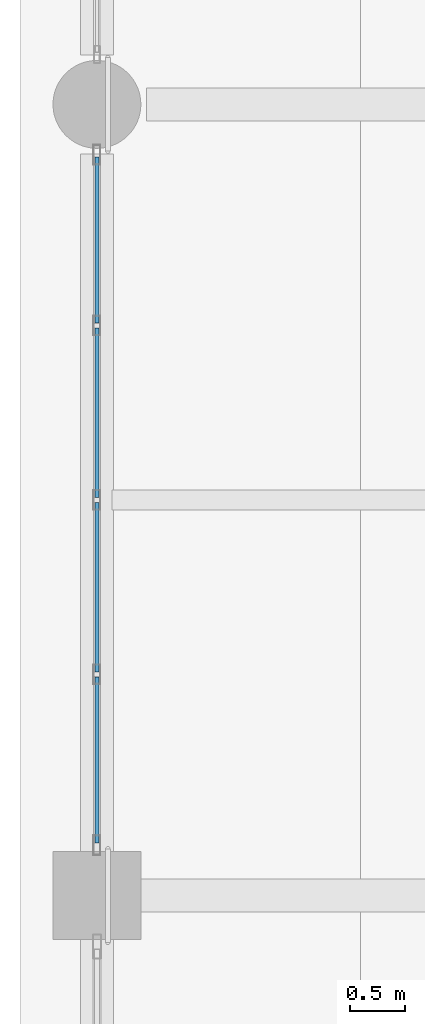
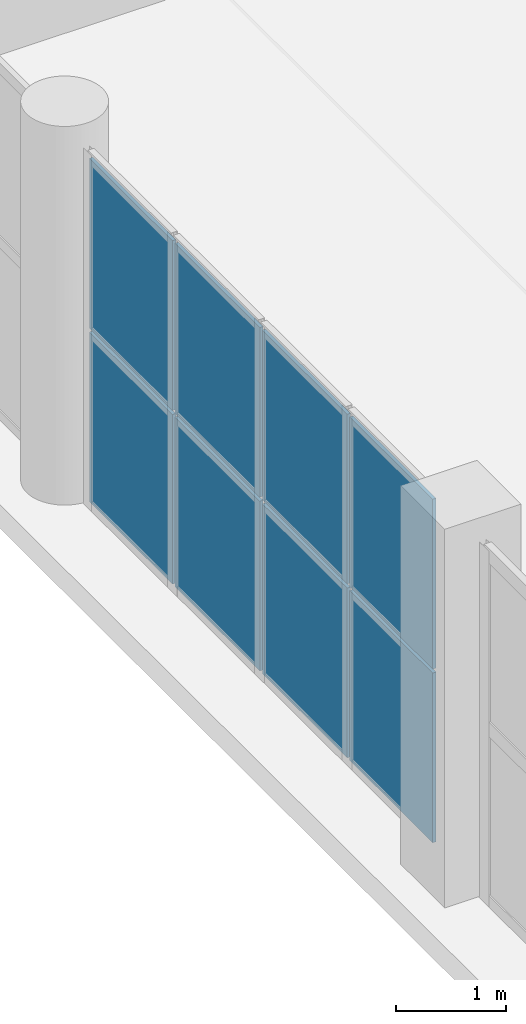
# One storey, part 121 of 153: 8 plates, 1 element without a shape of its own.
"""IFC4 building model written with IfcOpenShell, lengths in metres."""

from ifc_helpers import new_model, si_unit, direction, frame, origin, origin_2d, place, context, subcontext, project, spatial, rectangle, extrude, material, layer, layer_set, type_object, element, aggregate, save


model = new_model("IFC4")

# Units and contexts
model_context = context("Model", 3, precision=1e-05, world=origin(), true_north=direction((0.0, 1.0)))
body_context = subcontext(model_context, "Body", "Model", "MODEL_VIEW")
ifc_project = project(units=[si_unit("LENGTHUNIT", "METRE"), si_unit("AREAUNIT", "SQUARE_METRE"), si_unit("VOLUMEUNIT", "CUBIC_METRE"), si_unit("PLANEANGLEUNIT", "RADIAN"), si_unit("MASSUNIT", "GRAM", prefix="KILO")], contexts=[model_context])

# Site, building, storey
site_placement = place(None, origin())
site = spatial("IfcSite", under=ifc_project, at=site_placement, CompositionType="ELEMENT")
building_placement = place(site_placement, origin())
building = spatial("IfcBuilding", under=site, at=building_placement, Name="Qandorah Velis Arena", CompositionType="ELEMENT")
storey_placement = place(building_placement, frame((0.0, 0.0, 5.39990234375)))
storey = spatial("IfcBuildingStorey", under=building, at=storey_placement, Name="L01", CompositionType="ELEMENT", Elevation=5.39990234375)

# Curtain wall, plates
ifc_material = material(Name="Solar-control low-E double glazing", Category="glass")
curtain_wall_type = type_object("IfcCurtainWallType", Name="ARC-CW-SYS06", PredefinedType="USERDEFINED", material=ifc_material)
curtain_wall_placement = place(storey_placement, origin())
curtain_wall = element("IfcCurtainWall", 1, at=curtain_wall_placement, inside=storey, type_object=curtain_wall_type, Name="Unitised curtain wall L01-006", ObjectType="UNITISED CURTAIN WALL", PredefinedType="USERDEFINED")
ifc_layer = layer(ifc_material, 0.035888671875)
ifc_layer_set = layer_set([ifc_layer], Name="Solar-control low-E double glazing")
plate_type = type_object("IfcPlateType", Name="ARC-CWP-GLZ36", PredefinedType="CURTAIN_PANEL", material=ifc_layer_set)
plate_1_placement = place(storey_placement, frame((0.0, 66.034912109375, 0.05517578125), z_axis=(0.0, 0.0, 1.0), x_axis=(0.0, 1.0, 0.0)))
plate_1 = element("IfcPlate", 2, at=plate_1_placement, type_object=plate_type, Name="CW06 panel 1.1", PredefinedType="CURTAIN_PANEL", context=body_context, shape_type="SweptSolid", body=[
    extrude(rectangle(XDim=1.510009765625, YDim=0.035888671875, at=origin_2d()), origin(), (0.0, 0.0, 1.0), 1.882568359375),
])
plate_2_placement = place(storey_placement, frame((0.0, 66.034912109375, 1.982421875), z_axis=(0.0, 0.0, 1.0), x_axis=(0.0, 1.0, 0.0)))
plate_2 = element("IfcPlate", 3, at=plate_2_placement, type_object=plate_type, Name="CW06 panel 1.2", PredefinedType="CURTAIN_PANEL", context=body_context, shape_type="SweptSolid", body=[
    extrude(rectangle(XDim=1.510009765625, YDim=0.035888671875, at=origin_2d()), origin(), (0.0, 0.0, 1.0), 1.882568359375),
])
plate_3_placement = place(storey_placement, frame((0.0, 67.606201171875, 0.05517578125), z_axis=(0.0, 0.0, 1.0), x_axis=(0.0, 1.0, 0.0)))
plate_3 = element("IfcPlate", 4, at=plate_3_placement, type_object=plate_type, Name="CW06 panel 2.1", PredefinedType="CURTAIN_PANEL", context=body_context, shape_type="SweptSolid", body=[
    extrude(rectangle(XDim=1.54248046875, YDim=0.035888671875, at=origin_2d()), origin(), (0.0, 0.0, 1.0), 1.882568359375),
])
plate_4_placement = place(storey_placement, frame((0.0, 67.606201171875, 1.982421875), z_axis=(0.0, 0.0, 1.0), x_axis=(0.0, 1.0, 0.0)))
plate_4 = element("IfcPlate", 5, at=plate_4_placement, type_object=plate_type, Name="CW06 panel 2.2", PredefinedType="CURTAIN_PANEL", context=body_context, shape_type="SweptSolid", body=[
    extrude(rectangle(XDim=1.54248046875, YDim=0.035888671875, at=origin_2d()), origin(), (0.0, 0.0, 1.0), 1.882568359375),
])
plate_5_placement = place(storey_placement, frame((0.0, 69.19384765625, 0.05517578125), z_axis=(0.0, 0.0, 1.0), x_axis=(0.0, 1.0, 0.0)))
plate_5 = element("IfcPlate", 6, at=plate_5_placement, type_object=plate_type, Name="CW06 panel 3.1", PredefinedType="CURTAIN_PANEL", context=body_context, shape_type="SweptSolid", body=[
    extrude(rectangle(XDim=1.54248046875, YDim=0.035888671875, at=origin_2d()), origin(), (0.0, 0.0, 1.0), 1.882568359375),
])
plate_6_placement = place(storey_placement, frame((0.0, 69.19384765625, 1.982421875), z_axis=(0.0, 0.0, 1.0), x_axis=(0.0, 1.0, 0.0)))
plate_6 = element("IfcPlate", 7, at=plate_6_placement, type_object=plate_type, Name="CW06 panel 3.2", PredefinedType="CURTAIN_PANEL", context=body_context, shape_type="SweptSolid", body=[
    extrude(rectangle(XDim=1.54248046875, YDim=0.035888671875, at=origin_2d()), origin(), (0.0, 0.0, 1.0), 1.882568359375),
])
plate_7_placement = place(storey_placement, frame((0.0, 70.764892578125, 0.05517578125), z_axis=(0.0, 0.0, 1.0), x_axis=(0.0, 1.0, 0.0)))
plate_7 = element("IfcPlate", 8, at=plate_7_placement, type_object=plate_type, Name="CW06 panel 4.1", PredefinedType="CURTAIN_PANEL", context=body_context, shape_type="SweptSolid", body=[
    extrude(rectangle(XDim=1.510009765625, YDim=0.035888671875, at=origin_2d()), origin(), (0.0, 0.0, 1.0), 1.882568359375),
])
plate_8_placement = place(storey_placement, frame((0.0, 70.764892578125, 1.982421875), z_axis=(0.0, 0.0, 1.0), x_axis=(0.0, 1.0, 0.0)))
plate_8 = element("IfcPlate", 9, at=plate_8_placement, type_object=plate_type, Name="CW06 panel 4.2", PredefinedType="CURTAIN_PANEL", context=body_context, shape_type="SweptSolid", body=[
    extrude(rectangle(XDim=1.510009765625, YDim=0.035888671875, at=origin_2d()), origin(), (0.0, 0.0, 1.0), 1.882568359375),
])
aggregate(curtain_wall, [plate_1, plate_2, plate_3, plate_4, plate_5, plate_6, plate_7, plate_8])

save(model, "model.ifc")
